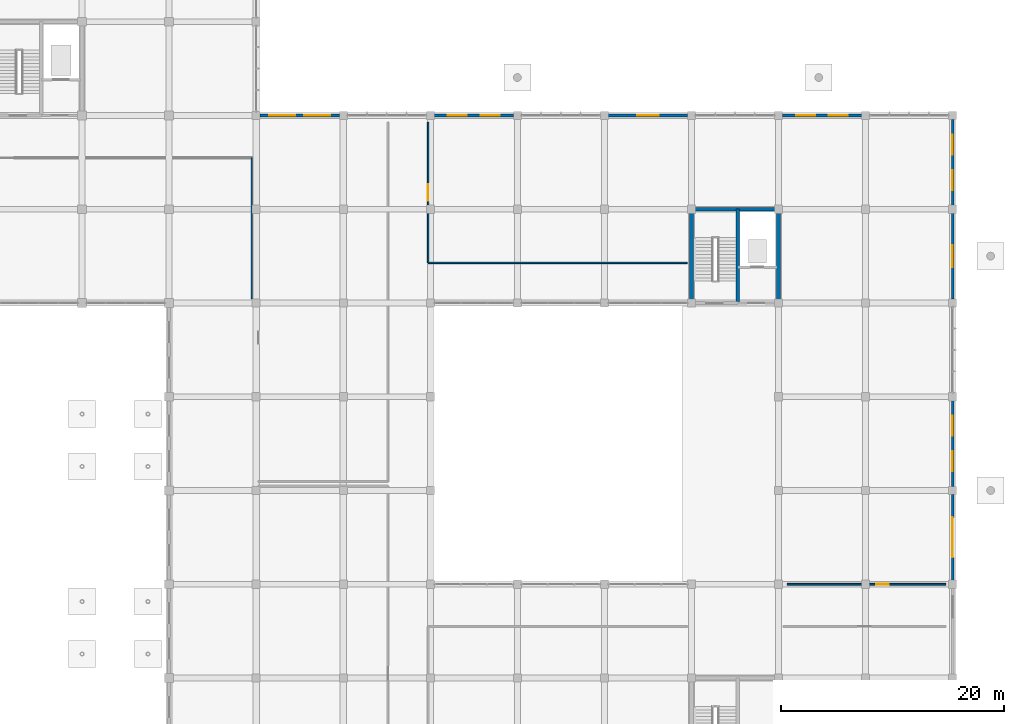
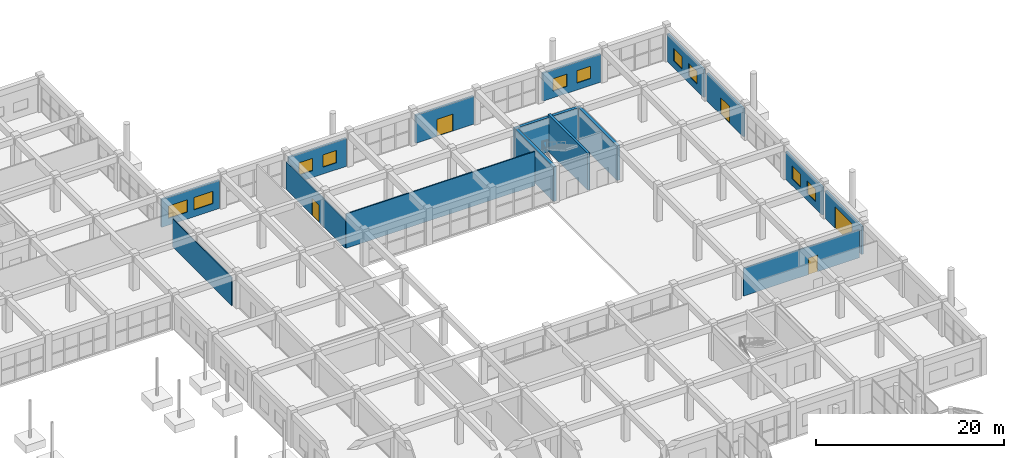
# One storey, part 130 of 139: 16 walls, 10 windows, 5 doors, 15 openings.
"""IFC4 building model written with IfcOpenShell, lengths in metres."""

from ifc_helpers import new_model, si_unit, direction, frame, frame_2d, origin, place, context, subcontext, project, spatial, rectangle, extrude, material, layer, layer_set, type_object, element, fill, save


model = new_model("IFC4")

# Units and contexts
model_context = context("Model", 3, precision=1e-05, world=origin(), true_north=direction((0.0, 1.0)))
body_context = subcontext(model_context, "Body", "Model", "MODEL_VIEW")
ifc_project = project(units=[si_unit("LENGTHUNIT", "METRE"), si_unit("AREAUNIT", "SQUARE_METRE"), si_unit("VOLUMEUNIT", "CUBIC_METRE"), si_unit("PLANEANGLEUNIT", "RADIAN"), si_unit("MASSUNIT", "GRAM", prefix="KILO")], contexts=[model_context])

# Site, building, storey
site_placement = place(None, origin())
site = spatial("IfcSite", under=ifc_project, at=site_placement, CompositionType="ELEMENT")
building_placement = place(site_placement, origin())
building = spatial("IfcBuilding", under=site, at=building_placement, Name="Zizhar Promenade General Hospital", CompositionType="ELEMENT")
storey_placement = place(building_placement, origin())
storey = spatial("IfcBuildingStorey", under=building, at=storey_placement, Name="L00", CompositionType="ELEMENT", Elevation=0.0)

# Wall, openings, windows
ifc_material_1 = material(Name="Precast concrete C40/50", Category="concrete")
ifc_layer_1 = layer(ifc_material_1, 0.235107421875)
ifc_layer_set_1 = layer_set([ifc_layer_1], Name="Precast concrete C40/50")
wall_type_1 = type_object("IfcWallType", Name="EW-CLN-235", PredefinedType="STANDARD", material=ifc_layer_set_1)
wall_1_placement = place(storey_placement, frame((132.93994140625, 109.199951171875, 0.0), z_axis=(0.0, 0.0, 1.0), x_axis=(1.0, 0.0, 0.0)))
wall_1 = element("IfcWall", 1, at=wall_1_placement, inside=storey, type_object=wall_type_1, Name="Outpatient North Wall L00-17", PredefinedType="STANDARD", context=body_context, shape_type="SweptSolid", body=[
    extrude(rectangle(XDim=7.1201171875, YDim=0.235107421875, at=frame_2d((3.56005859375, 0.0))), origin(), (0.0, 0.0, 1.0), 3.6298828125),
])
opening_1_placement = place(wall_1_placement, frame((0.840087890625, 0.0, 0.89990234375)))
opening_1 = element("IfcOpeningElement", 2, at=opening_1_placement, cuts=wall_1, Name="Opening W-20", PredefinedType="OPENING", context=body_context, shape_type="SweptSolid", body=[
    extrude(rectangle(XDim=2.300048828125, YDim=1.60009765625, at=frame_2d((1.14990234375, 0.800048828125))), frame((0.0, 0.12744140625, 0.0), z_axis=(0.0, -1.0, 0.0), x_axis=(1.0, 0.0, 0.0)), (0.0, 0.0, 1.0), 0.255126953125),
])
opening_2_placement = place(wall_1_placement, frame((3.97998046875, 0.0, 0.89990234375)))
opening_2 = element("IfcOpeningElement", 3, at=opening_2_placement, cuts=wall_1, Name="Opening W-20", PredefinedType="OPENING", context=body_context, shape_type="SweptSolid", body=[
    extrude(rectangle(XDim=2.300048828125, YDim=1.60009765625, at=frame_2d((1.14990234375, 0.800048828125))), frame((0.0, 0.12744140625, 0.0), z_axis=(0.0, -1.0, 0.0), x_axis=(1.0, 0.0, 0.0)), (0.0, 0.0, 1.0), 0.255126953125),
])
ifc_material_2 = material(Name="Anodised aluminium 6063-T6 and low-E glass", Category="aluminium")
window_type_1 = type_object("IfcWindowType", Name="WIN-CLN-230x160", PartitioningType="DOUBLE_PANEL_VERTICAL", PredefinedType="WINDOW", material=ifc_material_2)
window_1_placement = place(opening_1_placement, origin())
window_1 = element("IfcWindow", 4, at=window_1_placement, inside=storey, type_object=window_type_1, Name="Outpatient North Wall L00-17 Window 1", OverallHeight=1.60009765625, OverallWidth=2.300048828125, PartitioningType="SINGLE_PANEL", PredefinedType="WINDOW", context=body_context, shape_type="SweptSolid", body=[
    extrude(rectangle(XDim=2.300048828125, YDim=1.60009765625, at=frame_2d((1.14990234375, 0.800048828125))), frame((0.0, 0.030029296875, 0.0), z_axis=(0.0, -1.0, 0.0), x_axis=(1.0, 0.0, 0.0)), (0.0, 0.0, 1.0), 0.06005859375),
])
fill(opening_1, window_1)
window_2_placement = place(opening_2_placement, origin())
window_2 = element("IfcWindow", 5, at=window_2_placement, inside=storey, type_object=window_type_1, Name="Outpatient North Wall L00-17 Window 2", OverallHeight=1.60009765625, OverallWidth=2.300048828125, PartitioningType="SINGLE_PANEL", PredefinedType="WINDOW", context=body_context, shape_type="SweptSolid", body=[
    extrude(rectangle(XDim=2.300048828125, YDim=1.60009765625, at=frame_2d((1.14990234375, 0.800048828125))), frame((0.0, 0.030029296875, 0.0), z_axis=(0.0, -1.0, 0.0), x_axis=(1.0, 0.0, 0.0)), (0.0, 0.0, 1.0), 0.06005859375),
])
fill(opening_2, window_2)

wall_2_placement = place(storey_placement, frame((148.5400390625, 109.199951171875, 0.0), z_axis=(0.0, 0.0, 1.0), x_axis=(1.0, 0.0, 0.0)))
wall_2 = element("IfcWall", 6, at=wall_2_placement, inside=storey, type_object=wall_type_1, Name="Outpatient North Wall L00-19", PredefinedType="STANDARD", context=body_context, shape_type="SweptSolid", body=[
    extrude(rectangle(XDim=7.119873046875, YDim=0.235107421875, at=frame_2d((3.56005859375, 0.0))), origin(), (0.0, 0.0, 1.0), 3.6298828125),
])
opening_3_placement = place(wall_2_placement, frame((1.239990234375, 0.0, 0.89990234375)))
opening_3 = element("IfcOpeningElement", 7, at=opening_3_placement, cuts=wall_2, Name="Opening W-22", PredefinedType="OPENING", context=body_context, shape_type="SweptSolid", body=[
    extrude(rectangle(XDim=1.699951171875, YDim=1.60009765625, at=frame_2d((0.85009765625, 0.800048828125))), frame((0.0, 0.12744140625, 0.0), z_axis=(0.0, -1.0, 0.0), x_axis=(1.0, 0.0, 0.0)), (0.0, 0.0, 1.0), 0.255126953125),
])
opening_4_placement = place(wall_2_placement, frame((4.179931640625, 0.0, 0.89990234375)))
opening_4 = element("IfcOpeningElement", 8, at=opening_4_placement, cuts=wall_2, Name="Opening W-22", PredefinedType="OPENING", context=body_context, shape_type="SweptSolid", body=[
    extrude(rectangle(XDim=1.699951171875, YDim=1.60009765625, at=frame_2d((0.85009765625, 0.800048828125))), frame((0.0, 0.12744140625, 0.0), z_axis=(0.0, -1.0, 0.0), x_axis=(1.0, 0.0, 0.0)), (0.0, 0.0, 1.0), 0.255126953125),
])
ifc_material_3 = material(Name="Anodised aluminium 6063-T6 and low-E glass", Category="aluminium")
window_type_2 = type_object("IfcWindowType", Name="WIN-CLN-170x160", PartitioningType="SINGLE_PANEL", PredefinedType="WINDOW", material=ifc_material_3)
window_3_placement = place(opening_3_placement, origin())
window_3 = element("IfcWindow", 9, at=window_3_placement, inside=storey, type_object=window_type_2, Name="Outpatient North Wall L00-19 Window 1", OverallHeight=1.60009765625, OverallWidth=1.699951171875, PartitioningType="SINGLE_PANEL", PredefinedType="WINDOW", context=body_context, shape_type="SweptSolid", body=[
    extrude(rectangle(XDim=1.699951171875, YDim=1.60009765625, at=frame_2d((0.85009765625, 0.800048828125))), frame((0.0, 0.030029296875, 0.0), z_axis=(0.0, -1.0, 0.0), x_axis=(1.0, 0.0, 0.0)), (0.0, 0.0, 1.0), 0.06005859375),
])
fill(opening_3, window_3)
window_4_placement = place(opening_4_placement, origin())
window_4 = element("IfcWindow", 10, at=window_4_placement, inside=storey, type_object=window_type_2, Name="Outpatient North Wall L00-19 Window 2", OverallHeight=1.60009765625, OverallWidth=1.699951171875, PartitioningType="SINGLE_PANEL", PredefinedType="WINDOW", context=body_context, shape_type="SweptSolid", body=[
    extrude(rectangle(XDim=1.699951171875, YDim=1.60009765625, at=frame_2d((0.85009765625, 0.800048828125))), frame((0.0, 0.030029296875, 0.0), z_axis=(0.0, -1.0, 0.0), x_axis=(1.0, 0.0, 0.0)), (0.0, 0.0, 1.0), 0.06005859375),
])
fill(opening_4, window_4)

# Wall, opening, door
wall_3_placement = place(storey_placement, frame((164.139892578125, 109.199951171875, 0.0), z_axis=(0.0, 0.0, 1.0), x_axis=(1.0, 0.0, 0.0)))
wall_3 = element("IfcWall", 11, at=wall_3_placement, inside=storey, type_object=wall_type_1, Name="Outpatient North Wall L00-21", PredefinedType="STANDARD", context=body_context, shape_type="SweptSolid", body=[
    extrude(rectangle(XDim=7.1201171875, YDim=0.235107421875, at=frame_2d((3.56005859375, 0.0))), origin(), (0.0, 0.0, 1.0), 3.6298828125),
])
opening_5_placement = place(wall_3_placement, frame((2.580078125, 0.0, 0.0)))
opening_5 = element("IfcOpeningElement", 12, at=opening_5_placement, cuts=wall_3, Name="Opening ED-02", PredefinedType="OPENING", context=body_context, shape_type="SweptSolid", body=[
    extrude(rectangle(XDim=1.9599609375, YDim=2.199951171875, at=frame_2d((0.97998046875, 1.10009765625))), frame((0.0, 0.12744140625, 0.0), z_axis=(0.0, -1.0, 0.0), x_axis=(1.0, 0.0, 0.0)), (0.0, 0.0, 1.0), 0.255126953125),
])
ifc_material_4 = material(Name="Anodised aluminium 6063-T6 and laminated safety glass", Category="aluminium")
door_type_1 = type_object("IfcDoorType", Name="DR-EXT-EXIT-196x220", OperationType="DOUBLE_DOOR_SINGLE_SWING", PredefinedType="DOOR", material=ifc_material_4)
door_1_placement = place(opening_5_placement, origin())
door_1 = element("IfcDoor", 13, at=door_1_placement, inside=storey, type_object=door_type_1, Name="Outpatient North Final Exit 21", OperationType="DOUBLE_DOOR_SINGLE_SWING", OverallHeight=2.199951171875, OverallWidth=1.9599609375, PredefinedType="DOOR", context=body_context, shape_type="SweptSolid", body=[
    extrude(rectangle(XDim=1.9599609375, YDim=2.199951171875, at=frame_2d((0.97998046875, 1.10009765625))), frame((0.0, 0.02490234375, 0.0), z_axis=(0.0, -1.0, 0.0), x_axis=(1.0, 0.0, 0.0)), (0.0, 0.0, 1.0), 0.050048828125),
])
fill(opening_5, door_1)

# Wall, openings, windows
wall_4_placement = place(storey_placement, frame((179.739990234375, 109.199951171875, 0.0), z_axis=(0.0, 0.0, 1.0), x_axis=(1.0, 0.0, 0.0)))
wall_4 = element("IfcWall", 14, at=wall_4_placement, inside=storey, type_object=wall_type_1, Name="Outpatient North Wall L00-23", PredefinedType="STANDARD", context=body_context, shape_type="SweptSolid", body=[
    extrude(rectangle(XDim=7.1201171875, YDim=0.235107421875, at=frame_2d((3.56005859375, 0.0))), origin(), (0.0, 0.0, 1.0), 3.6298828125),
])
opening_6_placement = place(wall_4_placement, frame((1.239990234375, 0.0, 0.89990234375)))
opening_6 = element("IfcOpeningElement", 15, at=opening_6_placement, cuts=wall_4, Name="Opening W-22", PredefinedType="OPENING", context=body_context, shape_type="SweptSolid", body=[
    extrude(rectangle(XDim=1.699951171875, YDim=1.60009765625, at=frame_2d((0.85009765625, 0.800048828125))), frame((0.0, 0.12744140625, 0.0), z_axis=(0.0, -1.0, 0.0), x_axis=(1.0, 0.0, 0.0)), (0.0, 0.0, 1.0), 0.255126953125),
])
opening_7_placement = place(wall_4_placement, frame((4.179931640625, 0.0, 0.89990234375)))
opening_7 = element("IfcOpeningElement", 16, at=opening_7_placement, cuts=wall_4, Name="Opening W-22", PredefinedType="OPENING", context=body_context, shape_type="SweptSolid", body=[
    extrude(rectangle(XDim=1.699951171875, YDim=1.60009765625, at=frame_2d((0.85009765625, 0.800048828125))), frame((0.0, 0.12744140625, 0.0), z_axis=(0.0, -1.0, 0.0), x_axis=(1.0, 0.0, 0.0)), (0.0, 0.0, 1.0), 0.255126953125),
])
window_5_placement = place(opening_6_placement, origin())
window_5 = element("IfcWindow", 17, at=window_5_placement, inside=storey, type_object=window_type_2, Name="Outpatient North Wall L00-23 Window 1", OverallHeight=1.60009765625, OverallWidth=1.699951171875, PartitioningType="SINGLE_PANEL", PredefinedType="WINDOW", context=body_context, shape_type="SweptSolid", body=[
    extrude(rectangle(XDim=1.699951171875, YDim=1.60009765625, at=frame_2d((0.85009765625, 0.800048828125))), frame((0.0, 0.030029296875, 0.0), z_axis=(0.0, -1.0, 0.0), x_axis=(1.0, 0.0, 0.0)), (0.0, 0.0, 1.0), 0.06005859375),
])
fill(opening_6, window_5)
window_6_placement = place(opening_7_placement, origin())
window_6 = element("IfcWindow", 18, at=window_6_placement, inside=storey, type_object=window_type_2, Name="Outpatient North Wall L00-23 Window 2", OverallHeight=1.60009765625, OverallWidth=1.699951171875, PartitioningType="SINGLE_PANEL", PredefinedType="WINDOW", context=body_context, shape_type="SweptSolid", body=[
    extrude(rectangle(XDim=1.699951171875, YDim=1.60009765625, at=frame_2d((0.85009765625, 0.800048828125))), frame((0.0, 0.030029296875, 0.0), z_axis=(0.0, -1.0, 0.0), x_axis=(1.0, 0.0, 0.0)), (0.0, 0.0, 1.0), 0.06005859375),
])
fill(opening_7, window_6)

# Wall, opening, door
wall_5_placement = place(storey_placement, frame((195.0, 75.260009765625, 0.0), z_axis=(0.0, 0.0, 1.0), x_axis=(0.0, -1.0, 0.0)))
wall_5 = element("IfcWall", 19, at=wall_5_placement, inside=storey, type_object=wall_type_1, Name="Outpatient East Wall L00-8", PredefinedType="STANDARD", context=body_context, shape_type="SweptSolid", body=[
    extrude(rectangle(XDim=7.719970703125, YDim=0.235107421875, at=frame_2d((3.85986328125, 0.0))), origin(), (0.0, 0.0, 1.0), 3.614990234375),
])
opening_8_placement = place(wall_5_placement, frame((2.06005859375, 0.0, 0.0)))
opening_8 = element("IfcOpeningElement", 20, at=opening_8_placement, cuts=wall_5, Name="Opening VG-02", PredefinedType="OPENING", context=body_context, shape_type="SweptSolid", body=[
    extrude(rectangle(XDim=3.60009765625, YDim=2.800048828125, at=frame_2d((1.800048828125, 1.39990234375))), frame((0.0, 0.12744140625, 0.0), z_axis=(0.0, -1.0, 0.0), x_axis=(1.0, 0.0, 0.0)), (0.0, 0.0, 1.0), 0.255126953125),
])
ifc_material_5 = material(Name="Galvanised Steel S355", Category="steel")
door_type_2 = type_object("IfcDoorType", Name="GT-SRV-360x280", OperationType="DOUBLE_DOOR_SINGLE_SWING", PredefinedType="GATE", material=ifc_material_5)
door_2_placement = place(opening_8_placement, origin())
door_2 = element("IfcDoor", 21, at=door_2_placement, inside=storey, type_object=door_type_2, Name="Outpatient East Service Gate", OperationType="DOUBLE_DOOR_SINGLE_SWING", OverallHeight=2.800048828125, OverallWidth=3.60009765625, PredefinedType="GATE", context=body_context, shape_type="SweptSolid", body=[
    extrude(rectangle(XDim=3.60009765625, YDim=2.800048828125, at=frame_2d((1.800048828125, 1.39990234375))), frame((0.0, 0.02490234375, 0.0), z_axis=(0.0, -1.0, 0.0), x_axis=(1.0, 0.0, 0.0)), (0.0, 0.0, 1.0), 0.050048828125),
])
fill(opening_8, door_2)

# Wall, openings, windows
wall_6_placement = place(storey_placement, frame((195.0, 83.659912109375, 0.0), z_axis=(0.0, 0.0, 1.0), x_axis=(0.0, -1.0, 0.0)))
wall_6 = element("IfcWall", 22, at=wall_6_placement, inside=storey, type_object=wall_type_1, Name="Outpatient East Wall L00-9", PredefinedType="STANDARD", context=body_context, shape_type="SweptSolid", body=[
    extrude(rectangle(XDim=7.719970703125, YDim=0.235107421875, at=frame_2d((3.85986328125, 0.0))), origin(), (0.0, 0.0, 1.0), 3.614990234375),
])
opening_9_placement = place(wall_6_placement, frame((1.373291015625, 0.0, 0.89990234375)))
opening_9 = element("IfcOpeningElement", 23, at=opening_9_placement, cuts=wall_6, Name="Opening W-08", PredefinedType="OPENING", context=body_context, shape_type="SweptSolid", body=[
    extrude(rectangle(XDim=1.800048828125, YDim=1.64990234375, at=frame_2d((0.89990234375, 0.824951171875))), frame((0.0, 0.12744140625, 0.0), z_axis=(0.0, -1.0, 0.0), x_axis=(1.0, 0.0, 0.0)), (0.0, 0.0, 1.0), 0.255126953125),
])
opening_10_placement = place(wall_6_placement, frame((4.546630859375, 0.0, 0.89990234375)))
opening_10 = element("IfcOpeningElement", 24, at=opening_10_placement, cuts=wall_6, Name="Opening W-08", PredefinedType="OPENING", context=body_context, shape_type="SweptSolid", body=[
    extrude(rectangle(XDim=1.800048828125, YDim=1.64990234375, at=frame_2d((0.89990234375, 0.824951171875))), frame((0.0, 0.12744140625, 0.0), z_axis=(0.0, -1.0, 0.0), x_axis=(1.0, 0.0, 0.0)), (0.0, 0.0, 1.0), 0.255126953125),
])
ifc_material_6 = material(Name="Anodised aluminium 6063-T6 and low-E glass", Category="aluminium")
window_type_3 = type_object("IfcWindowType", Name="WIN-CLN-180x165", PartitioningType="DOUBLE_PANEL_VERTICAL", PredefinedType="WINDOW", material=ifc_material_6)
window_7_placement = place(opening_9_placement, origin())
window_7 = element("IfcWindow", 25, at=window_7_placement, inside=storey, type_object=window_type_3, Name="Outpatient East Wall L00-9 Window 1", OverallHeight=1.64990234375, OverallWidth=1.800048828125, PartitioningType="SINGLE_PANEL", PredefinedType="WINDOW", context=body_context, shape_type="SweptSolid", body=[
    extrude(rectangle(XDim=1.800048828125, YDim=1.64990234375, at=frame_2d((0.89990234375, 0.824951171875))), frame((0.0, 0.030029296875, 0.0), z_axis=(0.0, -1.0, 0.0), x_axis=(1.0, 0.0, 0.0)), (0.0, 0.0, 1.0), 0.06005859375),
])
fill(opening_9, window_7)
window_8_placement = place(opening_10_placement, origin())
window_8 = element("IfcWindow", 26, at=window_8_placement, inside=storey, type_object=window_type_3, Name="Outpatient East Wall L00-9 Window 2", OverallHeight=1.64990234375, OverallWidth=1.800048828125, PartitioningType="SINGLE_PANEL", PredefinedType="WINDOW", context=body_context, shape_type="SweptSolid", body=[
    extrude(rectangle(XDim=1.800048828125, YDim=1.64990234375, at=frame_2d((0.89990234375, 0.824951171875))), frame((0.0, 0.030029296875, 0.0), z_axis=(0.0, -1.0, 0.0), x_axis=(1.0, 0.0, 0.0)), (0.0, 0.0, 1.0), 0.06005859375),
])
fill(opening_10, window_8)

# Wall, opening, door
wall_7_placement = place(storey_placement, frame((195.0, 100.4599609375, 0.0), z_axis=(0.0, 0.0, 1.0), x_axis=(0.0, -1.0, 0.0)))
wall_7 = element("IfcWall", 27, at=wall_7_placement, inside=storey, type_object=wall_type_1, Name="Outpatient East Wall L00-11", PredefinedType="STANDARD", context=body_context, shape_type="SweptSolid", body=[
    extrude(rectangle(XDim=7.719970703125, YDim=0.235107421875, at=frame_2d((3.85986328125, 0.0))), origin(), (0.0, 0.0, 1.0), 3.614990234375),
])
opening_11_placement = place(wall_7_placement, frame((2.8798828125, 0.0, 0.0)))
opening_11 = element("IfcOpeningElement", 28, at=opening_11_placement, cuts=wall_7, Name="Opening ED-02", PredefinedType="OPENING", context=body_context, shape_type="SweptSolid", body=[
    extrude(rectangle(XDim=1.9599609375, YDim=2.199951171875, at=frame_2d((0.97998046875, 1.10009765625))), frame((0.0, 0.12744140625, 0.0), z_axis=(0.0, -1.0, 0.0), x_axis=(1.0, 0.0, 0.0)), (0.0, 0.0, 1.0), 0.255126953125),
])
door_3_placement = place(opening_11_placement, origin())
door_3 = element("IfcDoor", 29, at=door_3_placement, inside=storey, type_object=door_type_1, Name="Outpatient East Final Exit 11", OperationType="DOUBLE_DOOR_SINGLE_SWING", OverallHeight=2.199951171875, OverallWidth=1.9599609375, PredefinedType="DOOR", context=body_context, shape_type="SweptSolid", body=[
    extrude(rectangle(XDim=1.9599609375, YDim=2.199951171875, at=frame_2d((0.97998046875, 1.10009765625))), frame((0.0, 0.02490234375, 0.0), z_axis=(0.0, -1.0, 0.0), x_axis=(1.0, 0.0, 0.0)), (0.0, 0.0, 1.0), 0.050048828125),
])
fill(opening_11, door_3)

# Wall, openings, windows
wall_8_placement = place(storey_placement, frame((195.0, 108.860107421875, 0.0), z_axis=(0.0, 0.0, 1.0), x_axis=(0.0, -1.0, 0.0)))
wall_8 = element("IfcWall", 30, at=wall_8_placement, inside=storey, type_object=wall_type_1, Name="Outpatient East Wall L00-12", PredefinedType="STANDARD", context=body_context, shape_type="SweptSolid", body=[
    extrude(rectangle(XDim=7.72021484375, YDim=0.235107421875, at=frame_2d((3.860107421875, 0.0))), origin(), (0.0, 0.0, 1.0), 3.614990234375),
])
opening_12_placement = place(wall_8_placement, frame((1.373291015625, 0.0, 0.89990234375)))
opening_12 = element("IfcOpeningElement", 31, at=opening_12_placement, cuts=wall_8, Name="Opening W-08", PredefinedType="OPENING", context=body_context, shape_type="SweptSolid", body=[
    extrude(rectangle(XDim=1.800048828125, YDim=1.64990234375, at=frame_2d((0.89990234375, 0.824951171875))), frame((0.0, 0.12744140625, 0.0), z_axis=(0.0, -1.0, 0.0), x_axis=(1.0, 0.0, 0.0)), (0.0, 0.0, 1.0), 0.255126953125),
])
opening_13_placement = place(wall_8_placement, frame((4.546630859375, 0.0, 0.89990234375)))
opening_13 = element("IfcOpeningElement", 32, at=opening_13_placement, cuts=wall_8, Name="Opening W-08", PredefinedType="OPENING", context=body_context, shape_type="SweptSolid", body=[
    extrude(rectangle(XDim=1.800048828125, YDim=1.64990234375, at=frame_2d((0.89990234375, 0.824951171875))), frame((0.0, 0.12744140625, 0.0), z_axis=(0.0, -1.0, 0.0), x_axis=(1.0, 0.0, 0.0)), (0.0, 0.0, 1.0), 0.255126953125),
])
window_9_placement = place(opening_12_placement, origin())
window_9 = element("IfcWindow", 33, at=window_9_placement, inside=storey, type_object=window_type_3, Name="Outpatient East Wall L00-12 Window 1", OverallHeight=1.64990234375, OverallWidth=1.800048828125, PartitioningType="SINGLE_PANEL", PredefinedType="WINDOW", context=body_context, shape_type="SweptSolid", body=[
    extrude(rectangle(XDim=1.800048828125, YDim=1.64990234375, at=frame_2d((0.89990234375, 0.824951171875))), frame((0.0, 0.030029296875, 0.0), z_axis=(0.0, -1.0, 0.0), x_axis=(1.0, 0.0, 0.0)), (0.0, 0.0, 1.0), 0.06005859375),
])
fill(opening_12, window_9)
window_10_placement = place(opening_13_placement, origin())
window_10 = element("IfcWindow", 34, at=window_10_placement, inside=storey, type_object=window_type_3, Name="Outpatient East Wall L00-12 Window 2", OverallHeight=1.64990234375, OverallWidth=1.800048828125, PartitioningType="SINGLE_PANEL", PredefinedType="WINDOW", context=body_context, shape_type="SweptSolid", body=[
    extrude(rectangle(XDim=1.800048828125, YDim=1.64990234375, at=frame_2d((0.89990234375, 0.824951171875))), frame((0.0, 0.030029296875, 0.0), z_axis=(0.0, -1.0, 0.0), x_axis=(1.0, 0.0, 0.0)), (0.0, 0.0, 1.0), 0.06005859375),
])
fill(opening_13, window_10)

# Wall, opening, door
ifc_material_7 = material(Name="Clinical consultation partition")
ifc_layer_2 = layer(ifc_material_7, 0.14501953125)
ifc_layer_set_2 = layer_set([ifc_layer_2], Name="Clinical consultation partition")
wall_type_2 = type_object("IfcWallType", Name="IW-CLN-145", PredefinedType="PARTITIONING", material=ifc_layer_set_2)
wall_9_placement = place(storey_placement, frame((180.159912109375, 67.199951171875, 0.0), z_axis=(0.0, 0.0, 1.0), x_axis=(1.0, 0.0, 0.0)))
wall_9 = element("IfcWall", 35, at=wall_9_placement, inside=storey, type_object=wall_type_2, Name="Outpatient Orthopaedic Clinic Consultation Rooms S Partition", PredefinedType="PARTITIONING", context=body_context, shape_type="SweptSolid", body=[
    extrude(rectangle(XDim=14.239990234375, YDim=0.14501953125, at=frame_2d((7.1201171875, 0.0))), origin(), (0.0, 0.0, 1.0), 3.6298828125),
])
opening_14_placement = place(wall_9_placement, frame((7.993896484375, 0.0, 0.0)))
opening_14 = element("IfcOpeningElement", 36, at=opening_14_placement, cuts=wall_9, Name="Opening D-14", PredefinedType="OPENING", context=body_context, shape_type="SweptSolid", body=[
    extrude(rectangle(XDim=1.10009765625, YDim=2.14990234375, at=frame_2d((0.550048828125, 1.074951171875))), frame((0.0, 0.08251953125, 0.0), z_axis=(0.0, -1.0, 0.0), x_axis=(1.0, 0.0, 0.0)), (0.0, 0.0, 1.0), 0.1650390625),
])
ifc_material_8 = material(Name="Fire-rated timber consultation leaf", Category="wood")
door_type_3 = type_object("IfcDoorType", Name="DR-CLN-CONS-110x215", OperationType="NOTDEFINED", PredefinedType="DOOR", material=ifc_material_8)
door_4_placement = place(opening_14_placement, origin())
door_4 = element("IfcDoor", 37, at=door_4_placement, inside=storey, type_object=door_type_3, Name="Outpatient Orthopaedic Clinic Consultation Rooms Door", OperationType="SINGLE_SWING_LEFT", OverallHeight=2.14990234375, OverallWidth=1.10009765625, PredefinedType="DOOR", context=body_context, shape_type="SweptSolid", body=[
    extrude(rectangle(XDim=1.10009765625, YDim=2.14990234375, at=frame_2d((0.550048828125, 1.074951171875))), frame((0.0, 0.02490234375, 0.0), z_axis=(0.0, -1.0, 0.0), x_axis=(1.0, 0.0, 0.0)), (0.0, 0.0, 1.0), 0.050048828125),
])
fill(opening_14, door_4)

# Wall
wall_10_placement = place(storey_placement, frame((148.0, 96.0, 0.0), z_axis=(0.0, 0.0, 1.0), x_axis=(1.0, 0.0, 0.0)))
element("IfcWall", 38, at=wall_10_placement, inside=storey, type_object=wall_type_2, Name="Accessible Clinic Waiting and Lounge L00 S Partition", PredefinedType="PARTITIONING", context=body_context, shape_type="SweptSolid", body=[
    extrude(rectangle(XDim=23.199951171875, YDim=0.14501953125, at=frame_2d((11.60009765625, 0.0))), origin(), (0.0, 0.0, 1.0), 4.4599609375),
])

# Wall, opening, door
wall_11_placement = place(storey_placement, frame((148.0, 96.0, 0.0), z_axis=(0.0, 0.0, 1.0), x_axis=(0.0, 1.0, 0.0)))
wall_11 = element("IfcWall", 39, at=wall_11_placement, inside=storey, type_object=wall_type_2, Name="Accessible Clinic Waiting and Lounge L00 W Partition", PredefinedType="PARTITIONING", context=body_context, shape_type="SweptSolid", body=[
    extrude(rectangle(XDim=12.60009765625, YDim=0.14501953125, at=frame_2d((6.300048828125, 0.0))), origin(), (0.0, 0.0, 1.0), 3.614990234375),
])
opening_15_placement = place(wall_11_placement, frame((5.5400390625, 0.0, 0.0)))
opening_15 = element("IfcOpeningElement", 40, at=opening_15_placement, cuts=wall_11, Name="Opening D-28", PredefinedType="OPENING", context=body_context, shape_type="SweptSolid", body=[
    extrude(rectangle(XDim=1.52001953125, YDim=2.199951171875, at=frame_2d((0.760009765625, 1.10009765625))), frame((0.0, 0.08251953125, 0.0), z_axis=(0.0, -1.0, 0.0), x_axis=(1.0, 0.0, 0.0)), (0.0, 0.0, 1.0), 0.1650390625),
])
ifc_material_9 = material(Name="Fire-rated timber glazed lounge pair", Category="wood")
door_type_4 = type_object("IfcDoorType", Name="DR-LOUNGE-152x220", OperationType="DOUBLE_DOOR_SINGLE_SWING", PredefinedType="DOOR", material=ifc_material_9)
door_5_placement = place(opening_15_placement, origin())
door_5 = element("IfcDoor", 41, at=door_5_placement, inside=storey, type_object=door_type_4, Name="Accessible Clinic Waiting and Lounge L00 Door", OperationType="DOUBLE_DOOR_SINGLE_SWING", OverallHeight=2.199951171875, OverallWidth=1.52001953125, PredefinedType="DOOR", context=body_context, shape_type="SweptSolid", body=[
    extrude(rectangle(XDim=1.52001953125, YDim=2.199951171875, at=frame_2d((0.760009765625, 1.10009765625))), frame((0.0, 0.02490234375, 0.0), z_axis=(0.0, -1.0, 0.0), x_axis=(1.0, 0.0, 0.0)), (0.0, 0.0, 1.0), 0.050048828125),
])
fill(opening_15, door_5)

# Walls
ifc_material_10 = material(Name="Clean utility gypsum partition")
ifc_layer_3 = layer(ifc_material_10, 0.114990234375)
ifc_layer_set_3 = layer_set([ifc_layer_3], Name="Clean utility gypsum partition")
wall_type_3 = type_object("IfcWallType", Name="IW-STR-115", PredefinedType="PARTITIONING", material=ifc_layer_set_3)
wall_12_placement = place(storey_placement, frame((132.199951171875, 92.800048828125, 0.0), z_axis=(0.0, 0.0, 1.0), x_axis=(0.0, 1.0, 0.0)))
element("IfcWall", 42, at=wall_12_placement, inside=storey, type_object=wall_type_3, Name="Endoscopy and Bronchoscopy Procedure Suite E Partition", PredefinedType="PARTITIONING", context=body_context, shape_type="SweptSolid", body=[
    extrude(rectangle(XDim=12.599853515625, YDim=0.114990234375, at=frame_2d((6.2998046875, 0.0))), origin(), (0.0, 0.0, 1.0), 3.6298828125),
])
ifc_material_11 = material(Name="Concrete C40/50", Category="concrete")
ifc_layer_4 = layer(ifc_material_11, 0.300048828125)
ifc_layer_set_4 = layer_set([ifc_layer_4], Name="Concrete C40/50")
wall_type_4 = type_object("IfcWallType", Name="WL-CORE-300", PredefinedType="SHEAR", material=ifc_layer_set_4)
wall_13_placement = place(storey_placement, frame((175.75, 92.39990234375, 0.0), z_axis=(0.0, 0.0, 1.0), x_axis=(0.0, 1.0, 0.0)))
element("IfcWall", 43, at=wall_13_placement, inside=storey, type_object=wall_type_4, Name="Core C8 Stair-Shaft Separation Wall (L00)", PredefinedType="SHEAR", context=body_context, shape_type="SweptSolid", body=[
    extrude(rectangle(XDim=8.400146484375, YDim=0.300048828125, at=frame_2d((4.2001953125, 0.0))), origin(), (0.0, 0.0, 1.0), 4.800048828125),
])
ifc_material_12 = material(Name="Concrete C40/50", Category="concrete")
ifc_layer_5 = layer(ifc_material_12, 0.35009765625)
ifc_layer_set_5 = layer_set([ifc_layer_5], Name="Concrete C40/50")
wall_type_5 = type_object("IfcWallType", Name="WL-CORE-350", PredefinedType="SHEAR", material=ifc_layer_set_5)
wall_14_placement = place(storey_placement, frame((171.425048828125, 100.800048828125, 0.0), z_axis=(0.0, 0.0, 1.0), x_axis=(1.0, 0.0, 0.0)))
element("IfcWall", 44, at=wall_14_placement, inside=storey, type_object=wall_type_5, Name="Core C8 North Shear Wall L00", PredefinedType="SHEAR", context=body_context, shape_type="SweptSolid", body=[
    extrude(rectangle(XDim=8.14990234375, YDim=0.35009765625, at=frame_2d((4.074951171875, 0.0))), origin(), (0.0, 0.0, 1.0), 4.47998046875),
])
for number, where, z_axis, x_axis, name in (
    (45, (171.60009765625, 92.39990234375, 0.0), (0.0, 0.0, 1.0), (0.0, 1.0, 0.0), "Core C8 West Shear Wall L00"),
    (46, (179.39990234375, 92.39990234375, 0.0), (0.0, 0.0, 1.0), (0.0, 1.0, 0.0), "Core C8 East Shear Wall L00"),
):
    element("IfcWall", number, at=place(storey_placement, frame(where, z_axis=z_axis, x_axis=x_axis)), inside=storey, type_object=wall_type_5, Name=name, PredefinedType="SHEAR", context=body_context, shape_type="SweptSolid", body=[
        extrude(rectangle(XDim=8.400146484375, YDim=0.35009765625, at=frame_2d((4.2001953125, 0.0))), origin(), (0.0, 0.0, 1.0), 4.47998046875),
    ])

save(model, "model.ifc")
